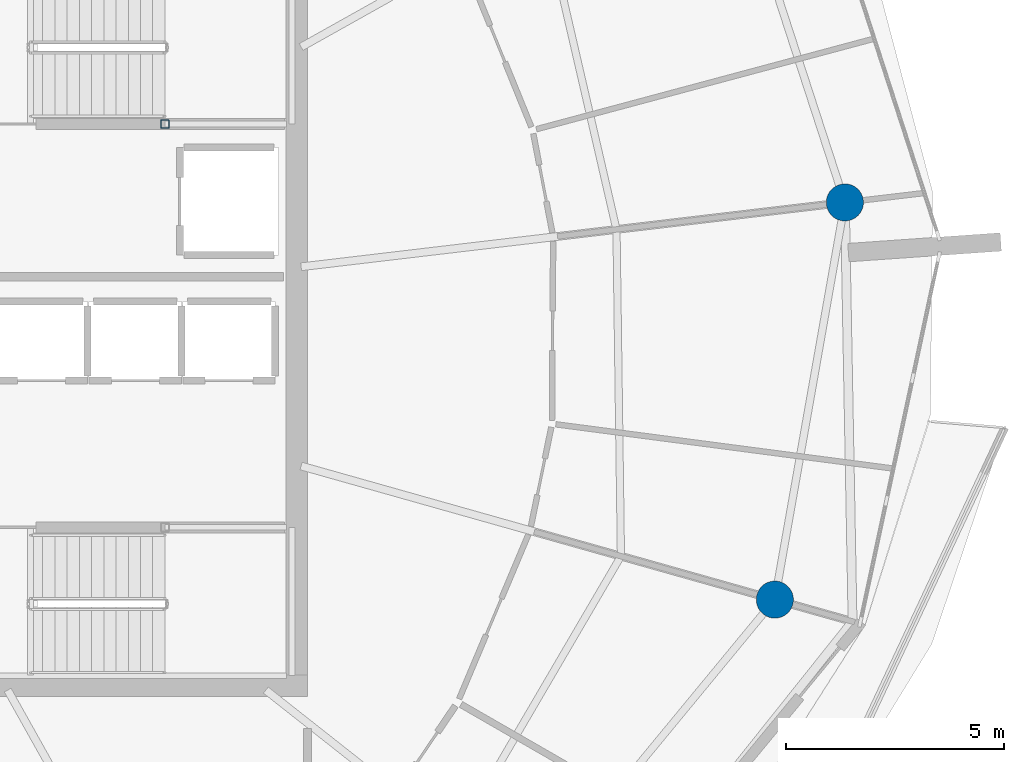
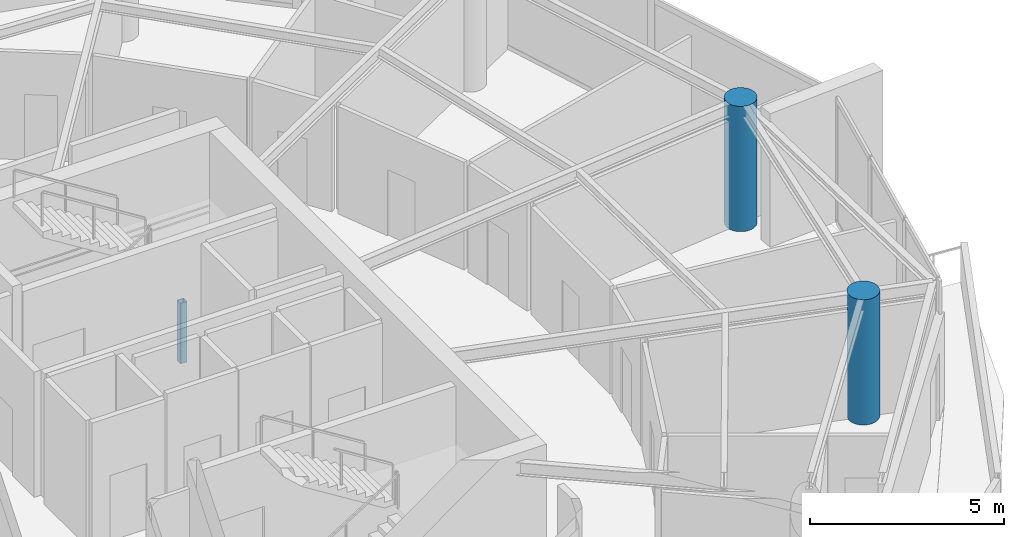
# One storey, part 3 of 22: 3 columns.
"""IFC4 building model written with IfcOpenShell, lengths in metres."""

from ifc_helpers import new_model, si_unit, direction, frame, origin, origin_2d, place, context, subcontext, project, spatial, hollow_rectangle, circle, extrude, material, material_profile, profile_set, type_object, element, save


model = new_model("IFC4")

# Units and contexts
model_context = context("Model", 3, precision=1e-05, world=origin(), true_north=direction((0.0, 1.0)))
body_context = subcontext(model_context, "Body", "Model", "MODEL_VIEW")
ifc_project = project(units=[si_unit("LENGTHUNIT", "METRE"), si_unit("AREAUNIT", "SQUARE_METRE"), si_unit("VOLUMEUNIT", "CUBIC_METRE"), si_unit("PLANEANGLEUNIT", "RADIAN"), si_unit("MASSUNIT", "GRAM", prefix="KILO")], contexts=[model_context])

# Site, building, storey
site_placement = place(None, origin())
site = spatial("IfcSite", under=ifc_project, at=site_placement, CompositionType="ELEMENT")
building_placement = place(site_placement, origin())
building = spatial("IfcBuilding", under=site, at=building_placement, Name="Kazma Halo Residences", CompositionType="ELEMENT")
storey_placement = place(building_placement, frame((0.0, 0.0, 326.300048828125)))
storey = spatial("IfcBuildingStorey", under=building, at=storey_placement, Name="L82", CompositionType="ELEMENT", Elevation=326.300048828125)

# Columns
ifc_material_1 = material(Name="Steel S355", Category="steel")
ifc_material_profile_1 = material_profile(ifc_material_1, hollow_rectangle(XDim=0.199951171875, YDim=0.199951171875, WallThickness=0.010009765625, InnerFilletRadius=0.010009765625, OuterFilletRadius=0.02001953125, at=origin_2d()), Name="SHS200x200x10")
ifc_profile_set_1 = profile_set([ifc_material_profile_1], Name="Steel S355")
column_type_1 = type_object("IfcColumnType", Name="COL-LP-SHS200", PredefinedType="COLUMN", material=ifc_profile_set_1)
column_placement = place(storey_placement, frame((56.280029296875, 46.6201171875, 0.0), z_axis=(0.0, 0.0, 1.0), x_axis=(1.0, 0.0, 0.0)))
element("IfcColumn", 1, at=column_placement, inside=storey, type_object=column_type_1, Name="L82 ST-02 landing pilaster 1", PredefinedType="COLUMN", context=body_context, shape_type="SweptSolid", body=[
    extrude(hollow_rectangle(XDim=0.199951171875, YDim=0.199951171875, WallThickness=0.010009765625, InnerFilletRadius=0.010009765625, OuterFilletRadius=0.02001953125, at=origin_2d()), origin(), (0.0, 0.0, 1.0), 1.89501953125),
])
ifc_material_2 = material(Name="Concrete C60/75", Category="concrete")
ifc_material_profile_2 = material_profile(ifc_material_2, circle(Radius=0.425048828125, at=origin_2d()), Name="CIRC850")
ifc_profile_set_2 = profile_set([ifc_material_profile_2], Name="Concrete C60/75")
column_type_2 = type_object("IfcColumnType", Name="COL-PERIM-850", PredefinedType="COLUMN", material=ifc_profile_set_2)
for number, where, z_axis, x_axis, name in (
    (2, (70.255615234375, 35.723388671875, 0.0), (0.0, 0.0, 1.0), (1.0, 0.0, 0.0), "L82 perimeter ring column P15"),
    (3, (71.8603515625, 44.82421875, 0.0), (0.0, 0.0, 1.0), (1.0, 0.0, 0.0), "L82 perimeter ring column P16"),
):
    element("IfcColumn", number, at=place(storey_placement, frame(where, z_axis=z_axis, x_axis=x_axis)), inside=storey, type_object=column_type_2, Name=name, PredefinedType="COLUMN", context=body_context, shape_type="SweptSolid", body=[
        extrude(circle(Radius=0.425048828125, at=origin_2d()), origin(), (0.0, 0.0, 1.0), 3.93994140625),
    ])

save(model, "model.ifc")
